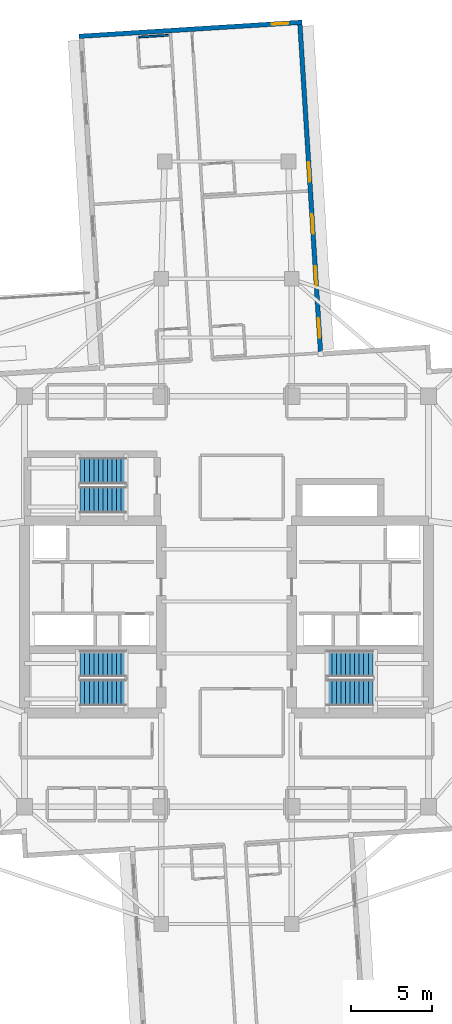
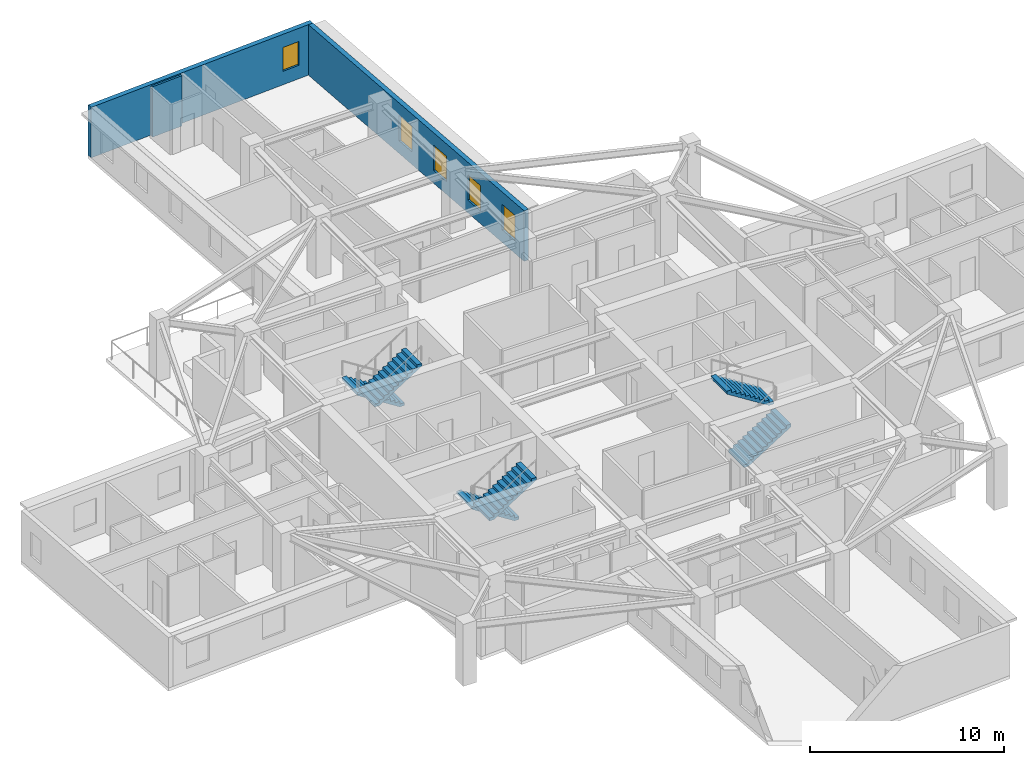
# One storey, part 9 of 13: 6 stair flights, 5 windows, 3 walls, 5 openings, 3 elements without a shape of their own.
"""IFC4 building model written with IfcOpenShell, lengths in metres."""

from ifc_helpers import new_model, si_unit, direction, frame, frame_2d, origin, place, context, subcontext, project, spatial, polyline, rectangle, outline, extrude, material, layer, layer_set, type_object, element, fill, aggregate, save


model = new_model("IFC4")

# Units and contexts
model_context = context("Model", 3, precision=1e-05, world=origin(), true_north=direction((0.0, 1.0)))
body_context = subcontext(model_context, "Body", "Model", "MODEL_VIEW")
ifc_project = project(units=[si_unit("LENGTHUNIT", "METRE"), si_unit("AREAUNIT", "SQUARE_METRE"), si_unit("VOLUMEUNIT", "CUBIC_METRE"), si_unit("PLANEANGLEUNIT", "RADIAN"), si_unit("MASSUNIT", "GRAM", prefix="KILO")], contexts=[model_context])

# Site, building, storey
site_placement = place(None, origin())
site = spatial("IfcSite", under=ifc_project, at=site_placement, CompositionType="ELEMENT")
building_placement = place(site_placement, origin())
building = spatial("IfcBuilding", under=site, at=building_placement, Name="Qingluan Cross Belvedere", CompositionType="ELEMENT")
storey_placement = place(building_placement, frame((0.0, 0.0, 201.300048828125)))
storey = spatial("IfcBuildingStorey", under=building, at=storey_placement, Name="L50", CompositionType="ELEMENT", Elevation=201.300048828125)

# Wall
ifc_material_1 = material(Name="Moisture-resistant gypsum board lining")
ifc_layer_1 = layer(ifc_material_1, 0.1201171875, Name="EnsuiteWetPartition_120")
ifc_layer_set_1 = layer_set([ifc_layer_1], Name="Moisture-resistant gypsum board lining")
wall_type_1 = type_object("IfcWallType", Name="EnsuiteWetPartition_120", PredefinedType="PARTITIONING", material=ifc_layer_set_1)
wall_1_placement = place(storey_placement, frame((-5.385009765625, 34.630126953125, 0.0), z_axis=(0.0, 0.0, 1.0), x_axis=(0.998027443946, 0.062779145668, 0.0)))
element("IfcWall", 1, at=wall_1_placement, inside=storey, type_object=wall_type_1, Name="Partition L50:N:bw1_1", PredefinedType="PARTITIONING", context=body_context, shape_type="SweptSolid", body=[
    extrude(rectangle(XDim=1.820068359375, YDim=0.1201171875, at=frame_2d((0.91015625, 0.0))), origin(), (0.0, 0.0, 1.0), 3.169921875),
])

# Wall, openings, windows
ifc_material_2 = material(Name="Precast concrete C45", Category="concrete")
ifc_layer_2 = layer(ifc_material_2, 0.280029296875, Name="PrecastFacadeWall_280")
ifc_layer_set_2 = layer_set([ifc_layer_2], Name="Precast concrete C45")
wall_type_2 = type_object("IfcWallType", Name="PrecastFacadeWall_280", PredefinedType="STANDARD", material=ifc_layer_set_2)
wall_2_placement = place(storey_placement, frame((5.7685546875, 15.33251953125, 0.0), z_axis=(0.0, 0.0, 1.0), x_axis=(-0.062784355807, 0.998027116198, 0.0)))
wall_2 = element("IfcWall", 2, at=wall_2_placement, inside=storey, type_object=wall_type_2, Name="Facade wall L50-NA", PredefinedType="STANDARD", context=body_context, shape_type="SweptSolid", body=[
    extrude(rectangle(XDim=20.099853515625, YDim=0.280029296875, at=frame_2d((10.0498046875, 0.0))), origin(), (0.0, 0.0, 1.0), 3.179931640625),
])
opening_1_placement = place(wall_2_placement, frame((0.85009765625, 0.0, 0.800048828125)))
opening_1 = element("IfcOpeningElement", 3, at=opening_1_placement, cuts=wall_2, Name="Opening W-02", PredefinedType="OPENING", context=body_context, shape_type="SweptSolid", body=[
    extrude(rectangle(XDim=1.199951171875, YDim=1.60009765625, at=frame_2d((0.60009765625, 0.800048828125))), frame((0.0, 0.14990234375, 0.0), z_axis=(0.0, -1.0, 0.0), x_axis=(1.0, 0.0, 0.0)), (0.0, 0.0, 1.0), 0.300048828125),
])
opening_2_placement = place(wall_2_placement, frame((4.050048828125, 0.0, 0.800048828125)))
opening_2 = element("IfcOpeningElement", 4, at=opening_2_placement, cuts=wall_2, Name="Opening W-02", PredefinedType="OPENING", context=body_context, shape_type="SweptSolid", body=[
    extrude(rectangle(XDim=1.199951171875, YDim=1.60009765625, at=frame_2d((0.60009765625, 0.800048828125))), frame((0.0, 0.14990234375, 0.0), z_axis=(0.0, -1.0, 0.0), x_axis=(1.0, 0.0, 0.0)), (0.0, 0.0, 1.0), 0.300048828125),
])
opening_3_placement = place(wall_2_placement, frame((7.25, 0.0, 0.800048828125)))
opening_3 = element("IfcOpeningElement", 5, at=opening_3_placement, cuts=wall_2, Name="Opening W-02", PredefinedType="OPENING", context=body_context, shape_type="SweptSolid", body=[
    extrude(rectangle(XDim=1.199951171875, YDim=1.60009765625, at=frame_2d((0.60009765625, 0.800048828125))), frame((0.0, 0.14990234375, 0.0), z_axis=(0.0, -1.0, 0.0), x_axis=(1.0, 0.0, 0.0)), (0.0, 0.0, 1.0), 0.300048828125),
])
opening_4_placement = place(wall_2_placement, frame((10.449951171875, 0.0, 0.800048828125)))
opening_4 = element("IfcOpeningElement", 6, at=opening_4_placement, cuts=wall_2, Name="Opening W-02", PredefinedType="OPENING", context=body_context, shape_type="SweptSolid", body=[
    extrude(rectangle(XDim=1.199951171875, YDim=1.60009765625, at=frame_2d((0.60009765625, 0.800048828125))), frame((0.0, 0.14990234375, 0.0), z_axis=(0.0, -1.0, 0.0), x_axis=(1.0, 0.0, 0.0)), (0.0, 0.0, 1.0), 0.300048828125),
])
ifc_material_3 = material(Name="Thermally broken triple Low-E glass in aluminium frame", Category="aluminium")
window_type_1 = type_object("IfcWindowType", Name="TriRibbonWin_1200x1600", PartitioningType="SINGLE_PANEL", PredefinedType="WINDOW", material=ifc_material_3)
window_1_placement = place(opening_1_placement, origin())
window_1 = element("IfcWindow", 7, at=window_1_placement, inside=storey, type_object=window_type_1, Name="Ribbon window L50-NA-1", OverallHeight=1.60009765625, OverallWidth=1.199951171875, PartitioningType="SINGLE_PANEL", PredefinedType="WINDOW", context=body_context, shape_type="SweptSolid", body=[
    extrude(rectangle(XDim=1.199951171875, YDim=1.60009765625, at=frame_2d((0.60009765625, 0.800048828125))), frame((0.0, 0.030029296875, 0.0), z_axis=(0.0, -1.0, 0.0), x_axis=(1.0, 0.0, 0.0)), (0.0, 0.0, 1.0), 0.06005859375),
])
fill(opening_1, window_1)
window_2_placement = place(opening_2_placement, origin())
window_2 = element("IfcWindow", 8, at=window_2_placement, inside=storey, type_object=window_type_1, Name="Ribbon window L50-NA-2", OverallHeight=1.60009765625, OverallWidth=1.199951171875, PartitioningType="SINGLE_PANEL", PredefinedType="WINDOW", context=body_context, shape_type="SweptSolid", body=[
    extrude(rectangle(XDim=1.199951171875, YDim=1.60009765625, at=frame_2d((0.60009765625, 0.800048828125))), frame((0.0, 0.030029296875, 0.0), z_axis=(0.0, -1.0, 0.0), x_axis=(1.0, 0.0, 0.0)), (0.0, 0.0, 1.0), 0.06005859375),
])
fill(opening_2, window_2)
window_3_placement = place(opening_3_placement, origin())
window_3 = element("IfcWindow", 9, at=window_3_placement, inside=storey, type_object=window_type_1, Name="Ribbon window L50-NA-3", OverallHeight=1.60009765625, OverallWidth=1.199951171875, PartitioningType="SINGLE_PANEL", PredefinedType="WINDOW", context=body_context, shape_type="SweptSolid", body=[
    extrude(rectangle(XDim=1.199951171875, YDim=1.60009765625, at=frame_2d((0.60009765625, 0.800048828125))), frame((0.0, 0.030029296875, 0.0), z_axis=(0.0, -1.0, 0.0), x_axis=(1.0, 0.0, 0.0)), (0.0, 0.0, 1.0), 0.06005859375),
])
fill(opening_3, window_3)
window_4_placement = place(opening_4_placement, origin())
window_4 = element("IfcWindow", 10, at=window_4_placement, inside=storey, type_object=window_type_1, Name="Ribbon window L50-NA-4", OverallHeight=1.60009765625, OverallWidth=1.199951171875, PartitioningType="SINGLE_PANEL", PredefinedType="WINDOW", context=body_context, shape_type="SweptSolid", body=[
    extrude(rectangle(XDim=1.199951171875, YDim=1.60009765625, at=frame_2d((0.60009765625, 0.800048828125))), frame((0.0, 0.030029296875, 0.0), z_axis=(0.0, -1.0, 0.0), x_axis=(1.0, 0.0, 0.0)), (0.0, 0.0, 1.0), 0.06005859375),
])
fill(opening_4, window_4)

# Wall, opening, window
wall_3_placement = place(storey_placement, frame((4.637451171875, 35.541259765625, 0.0), z_axis=(0.0, 0.0, 1.0), x_axis=(-0.998026318072, -0.062797041623, 0.0)))
wall_3 = element("IfcWall", 11, at=wall_3_placement, inside=storey, type_object=wall_type_2, Name="Arm tip precast facade wall L50-N", PredefinedType="STANDARD", context=body_context, shape_type="SweptSolid", body=[
    extrude(rectangle(XDim=13.719970703125, YDim=0.280029296875, at=frame_2d((6.85986328125, 0.0))), origin(), (0.0, 0.0, 1.0), 3.179931640625),
])
opening_5_placement = place(wall_3_placement, frame((0.85009765625, 0.0, 0.85009765625)))
opening_5 = element("IfcOpeningElement", 12, at=opening_5_placement, cuts=wall_3, Name="Opening W-03", PredefinedType="OPENING", context=body_context, shape_type="SweptSolid", body=[
    extrude(rectangle(XDim=1.0, YDim=1.5, at=frame_2d((0.5, 0.75))), frame((0.0, 0.14990234375, 0.0), z_axis=(0.0, -1.0, 0.0), x_axis=(1.0, 0.0, 0.0)), (0.0, 0.0, 1.0), 0.300048828125),
])
ifc_material_4 = material(Name="Thermally broken triple Low-E glass in aluminium frame", Category="aluminium")
window_type_2 = type_object("IfcWindowType", Name="TriApexWin_1000x1500", PartitioningType="SINGLE_PANEL", PredefinedType="WINDOW", material=ifc_material_4)
window_5_placement = place(opening_5_placement, origin())
window_5 = element("IfcWindow", 13, at=window_5_placement, inside=storey, type_object=window_type_2, Name="Arm tip triangular window L50-N", OverallHeight=1.5, OverallWidth=1.0, PartitioningType="SINGLE_PANEL", PredefinedType="WINDOW", context=body_context, shape_type="SweptSolid", body=[
    extrude(rectangle(XDim=1.0, YDim=1.5, at=frame_2d((0.5, 0.75))), frame((0.0, 0.030029296875, 0.0), z_axis=(0.0, -1.0, 0.0), x_axis=(1.0, 0.0, 0.0)), (0.0, 0.0, 1.0), 0.06005859375),
])
fill(opening_5, window_5)

# Stair, stair flights
ifc_material_5 = material(Name="Concrete C40", Category="concrete")
stair_type = type_object("IfcStairType", Name="CoreDoglegStair_1620", PredefinedType="HALF_TURN_STAIR", material=ifc_material_5)
stair_1_placement = place(storey_placement, origin())
stair_1 = element("IfcStair", 14, at=stair_1_placement, inside=storey, type_object=stair_type, Name="L50 ST1", PredefinedType="HALF_TURN_STAIR")
ifc_material_6 = material(Name="Concrete C40", Category="concrete")
ifc_layer_3 = layer(ifc_material_6, 0.179931640625, Name="StairFlight_RC180")
ifc_layer_set_3 = layer_set([ifc_layer_3], Name="Concrete C40")
stair_flight_type = type_object("IfcStairFlightType", Name="StairFlight_RC180", PredefinedType="STRAIGHT", material=ifc_layer_set_3)
stair_flight_1_placement = place(storey_placement, frame((-6.179931640625, -3.81005859375, 0.0), z_axis=(0.0, 0.0, 1.0), x_axis=(-1.0, 0.0, 0.0)))
stair_flight_1 = element("IfcStairFlight", 15, at=stair_flight_1_placement, type_object=stair_flight_type, Name="ST1 flight 1", NumberOfRisers=11, NumberOfTreads=10, PredefinedType="STRAIGHT", RiserHeight=0.177272727, TreadLength=0.28, context=body_context, shape_type="SweptSolid", body=[
    extrude(outline(polyline([(0.0, 0.0), (0.0, 0.17724609375), (0.280029296875, 0.17724609375), (0.280029296875, 0.3544921875), (0.56005859375, 0.3544921875), (0.56005859375, 0.53173828125), (0.840087890625, 0.53173828125), (0.840087890625, 0.708984375), (1.1201171875, 0.708984375), (1.1201171875, 0.886474609375), (1.39990234375, 0.886474609375), (1.39990234375, 1.063720703125), (1.679931640625, 1.063720703125), (1.679931640625, 1.240966796875), (1.9599609375, 1.240966796875), (1.9599609375, 1.418212890625), (2.239990234375, 1.418212890625), (2.239990234375, 1.595458984375), (2.52001953125, 1.595458984375), (2.52001953125, 1.772705078125), (2.800048828125, 1.772705078125), (2.800048828125, 1.949951171875), (2.800048828125, 1.59521484375), (0.2802734375, 0.0), (0.0, 0.0)])), frame((0.0, 0.81005859375, 0.0), z_axis=(0.0, -1.0, 0.0), x_axis=(1.0, 0.0, 0.0)), (0.0, 0.0, 1.0), 1.6201171875),
])
stair_flight_2_placement = place(storey_placement, frame((-8.97998046875, -5.590087890625, 1.949951171875), z_axis=(0.0, 0.0, 1.0), x_axis=(1.0, 0.0, 0.0)))
stair_flight_2 = element("IfcStairFlight", 16, at=stair_flight_2_placement, type_object=stair_flight_type, Name="ST1 flight 2", NumberOfRisers=11, NumberOfTreads=10, PredefinedType="STRAIGHT", RiserHeight=0.177272727, TreadLength=0.28, context=body_context, shape_type="SweptSolid", body=[
    extrude(outline(polyline([(0.0, 0.0), (0.0, 0.17724609375), (0.280029296875, 0.17724609375), (0.280029296875, 0.3544921875), (0.56005859375, 0.3544921875), (0.56005859375, 0.53173828125), (0.840087890625, 0.53173828125), (0.840087890625, 0.708984375), (1.1201171875, 0.708984375), (1.1201171875, 0.886474609375), (1.39990234375, 0.886474609375), (1.39990234375, 1.063720703125), (1.679931640625, 1.063720703125), (1.679931640625, 1.240966796875), (1.9599609375, 1.240966796875), (1.9599609375, 1.418212890625), (2.239990234375, 1.418212890625), (2.239990234375, 1.595458984375), (2.52001953125, 1.595458984375), (2.52001953125, 1.772705078125), (2.800048828125, 1.772705078125), (2.800048828125, 1.949951171875), (2.800048828125, 1.59521484375), (0.2802734375, 0.0), (0.0, 0.0)])), frame((0.0, 0.81005859375, 0.0), z_axis=(0.0, -1.0, 0.0), x_axis=(1.0, 0.0, 0.0)), (0.0, 0.0, 1.0), 1.6201171875),
])
aggregate(stair_1, [stair_flight_1, stair_flight_2])

stair_2_placement = place(storey_placement, origin())
stair_2 = element("IfcStair", 17, at=stair_2_placement, inside=storey, type_object=stair_type, Name="L50 ST2", PredefinedType="HALF_TURN_STAIR")
stair_flight_3_placement = place(storey_placement, frame((6.179931640625, -5.590087890625, 0.0), z_axis=(0.0, 0.0, 1.0), x_axis=(1.0, 0.0, 0.0)))
stair_flight_3 = element("IfcStairFlight", 18, at=stair_flight_3_placement, type_object=stair_flight_type, Name="ST2 flight 1", NumberOfRisers=11, NumberOfTreads=10, PredefinedType="STRAIGHT", RiserHeight=0.177272727, TreadLength=0.28, context=body_context, shape_type="SweptSolid", body=[
    extrude(outline(polyline([(0.0, 0.0), (0.0, 0.17724609375), (0.280029296875, 0.17724609375), (0.280029296875, 0.3544921875), (0.56005859375, 0.3544921875), (0.56005859375, 0.53173828125), (0.840087890625, 0.53173828125), (0.840087890625, 0.708984375), (1.1201171875, 0.708984375), (1.1201171875, 0.886474609375), (1.39990234375, 0.886474609375), (1.39990234375, 1.063720703125), (1.679931640625, 1.063720703125), (1.679931640625, 1.240966796875), (1.9599609375, 1.240966796875), (1.9599609375, 1.418212890625), (2.239990234375, 1.418212890625), (2.239990234375, 1.595458984375), (2.52001953125, 1.595458984375), (2.52001953125, 1.772705078125), (2.800048828125, 1.772705078125), (2.800048828125, 1.949951171875), (2.800048828125, 1.59521484375), (0.2802734375, 0.0), (0.0, 0.0)])), frame((0.0, 0.81005859375, 0.0), z_axis=(0.0, -1.0, 0.0), x_axis=(1.0, 0.0, 0.0)), (0.0, 0.0, 1.0), 1.6201171875),
])
stair_flight_4_placement = place(storey_placement, frame((8.97998046875, -3.81005859375, 1.949951171875), z_axis=(0.0, 0.0, 1.0), x_axis=(-1.0, 0.0, 0.0)))
stair_flight_4 = element("IfcStairFlight", 19, at=stair_flight_4_placement, type_object=stair_flight_type, Name="ST2 flight 2", NumberOfRisers=11, NumberOfTreads=10, PredefinedType="STRAIGHT", RiserHeight=0.177272727, TreadLength=0.28, context=body_context, shape_type="SweptSolid", body=[
    extrude(outline(polyline([(0.0, 0.0), (0.0, 0.17724609375), (0.280029296875, 0.17724609375), (0.280029296875, 0.3544921875), (0.56005859375, 0.3544921875), (0.56005859375, 0.53173828125), (0.840087890625, 0.53173828125), (0.840087890625, 0.708984375), (1.1201171875, 0.708984375), (1.1201171875, 0.886474609375), (1.39990234375, 0.886474609375), (1.39990234375, 1.063720703125), (1.679931640625, 1.063720703125), (1.679931640625, 1.240966796875), (1.9599609375, 1.240966796875), (1.9599609375, 1.418212890625), (2.239990234375, 1.418212890625), (2.239990234375, 1.595458984375), (2.52001953125, 1.595458984375), (2.52001953125, 1.772705078125), (2.800048828125, 1.772705078125), (2.800048828125, 1.949951171875), (2.800048828125, 1.59521484375), (0.2802734375, 0.0), (0.0, 0.0)])), frame((0.0, 0.81005859375, 0.0), z_axis=(0.0, -1.0, 0.0), x_axis=(1.0, 0.0, 0.0)), (0.0, 0.0, 1.0), 1.6201171875),
])
aggregate(stair_2, [stair_flight_3, stair_flight_4])

stair_3_placement = place(storey_placement, origin())
stair_3 = element("IfcStair", 20, at=stair_3_placement, inside=storey, type_object=stair_type, Name="L50 ST3", PredefinedType="HALF_TURN_STAIR")
stair_flight_5_placement = place(storey_placement, frame((-6.179931640625, 8.010009765625, 0.0), z_axis=(0.0, 0.0, 1.0), x_axis=(-1.0, 0.0, 0.0)))
stair_flight_5 = element("IfcStairFlight", 21, at=stair_flight_5_placement, type_object=stair_flight_type, Name="ST3 flight 1", NumberOfRisers=11, NumberOfTreads=10, PredefinedType="STRAIGHT", RiserHeight=0.177272727, TreadLength=0.28, context=body_context, shape_type="SweptSolid", body=[
    extrude(outline(polyline([(0.0, 0.0), (0.0, 0.17724609375), (0.280029296875, 0.17724609375), (0.280029296875, 0.3544921875), (0.56005859375, 0.3544921875), (0.56005859375, 0.53173828125), (0.840087890625, 0.53173828125), (0.840087890625, 0.708984375), (1.1201171875, 0.708984375), (1.1201171875, 0.886474609375), (1.39990234375, 0.886474609375), (1.39990234375, 1.063720703125), (1.679931640625, 1.063720703125), (1.679931640625, 1.240966796875), (1.9599609375, 1.240966796875), (1.9599609375, 1.418212890625), (2.239990234375, 1.418212890625), (2.239990234375, 1.595458984375), (2.52001953125, 1.595458984375), (2.52001953125, 1.772705078125), (2.800048828125, 1.772705078125), (2.800048828125, 1.949951171875), (2.800048828125, 1.59521484375), (0.2802734375, 0.0), (0.0, 0.0)])), frame((0.0, 0.81005859375, 0.0), z_axis=(0.0, -1.0, 0.0), x_axis=(1.0, 0.0, 0.0)), (0.0, 0.0, 1.0), 1.6201171875),
])
stair_flight_6_placement = place(storey_placement, frame((-8.97998046875, 6.22998046875, 1.949951171875), z_axis=(0.0, 0.0, 1.0), x_axis=(1.0, 0.0, 0.0)))
stair_flight_6 = element("IfcStairFlight", 22, at=stair_flight_6_placement, type_object=stair_flight_type, Name="ST3 flight 2", NumberOfRisers=11, NumberOfTreads=10, PredefinedType="STRAIGHT", RiserHeight=0.177272727, TreadLength=0.28, context=body_context, shape_type="SweptSolid", body=[
    extrude(outline(polyline([(0.0, 0.0), (0.0, 0.17724609375), (0.280029296875, 0.17724609375), (0.280029296875, 0.3544921875), (0.56005859375, 0.3544921875), (0.56005859375, 0.53173828125), (0.840087890625, 0.53173828125), (0.840087890625, 0.708984375), (1.1201171875, 0.708984375), (1.1201171875, 0.886474609375), (1.39990234375, 0.886474609375), (1.39990234375, 1.063720703125), (1.679931640625, 1.063720703125), (1.679931640625, 1.240966796875), (1.9599609375, 1.240966796875), (1.9599609375, 1.418212890625), (2.239990234375, 1.418212890625), (2.239990234375, 1.595458984375), (2.52001953125, 1.595458984375), (2.52001953125, 1.772705078125), (2.800048828125, 1.772705078125), (2.800048828125, 1.949951171875), (2.800048828125, 1.59521484375), (0.2802734375, 0.0), (0.0, 0.0)])), frame((0.0, 0.81005859375, 0.0), z_axis=(0.0, -1.0, 0.0), x_axis=(1.0, 0.0, 0.0)), (0.0, 0.0, 1.0), 1.6201171875),
])
aggregate(stair_3, [stair_flight_5, stair_flight_6])

save(model, "model.ifc")
